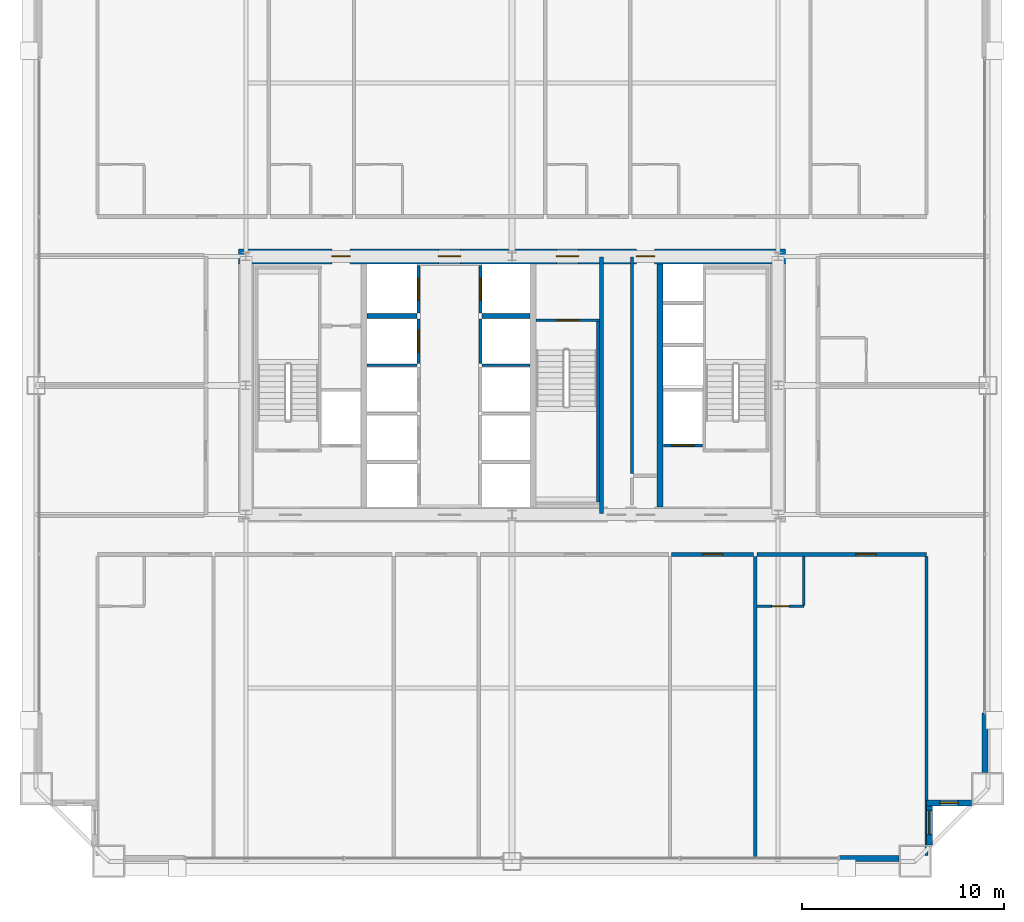
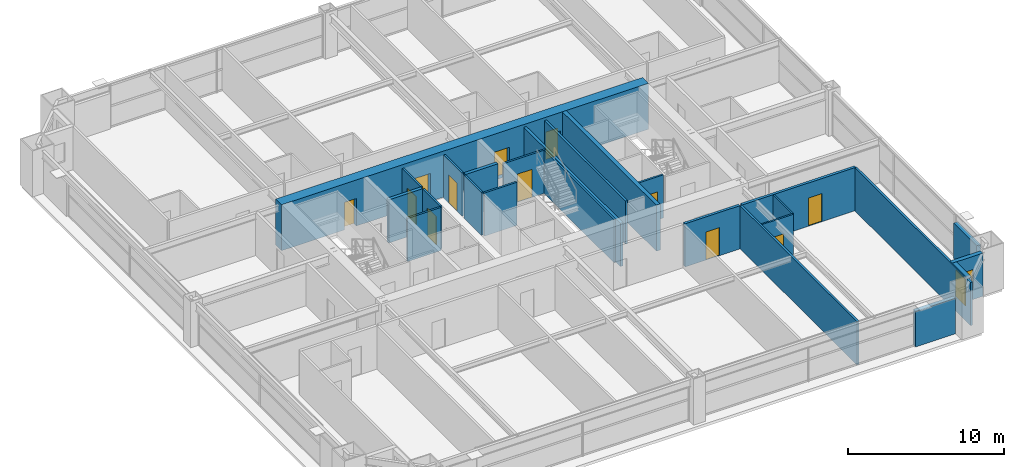
# One storey, part 36 of 39: 25 walls, 12 doors, 2 windows, 14 openings.
"""IFC4 building model written with IfcOpenShell, lengths in metres."""

from ifc_helpers import new_model, si_unit, direction, frame, frame_2d, origin, place, context, subcontext, project, spatial, rectangle, extrude, source, transform, mapped, material, layer, layer_set, type_object, element, fill, save


model = new_model("IFC4")

# Units and contexts
model_context = context("Model", 3, precision=1e-05, world=origin(), true_north=direction((0.0, 1.0)))
body_context = subcontext(model_context, "Body", "Model", "MODEL_VIEW")
ifc_project = project(units=[si_unit("LENGTHUNIT", "METRE"), si_unit("AREAUNIT", "SQUARE_METRE"), si_unit("VOLUMEUNIT", "CUBIC_METRE"), si_unit("PLANEANGLEUNIT", "RADIAN"), si_unit("MASSUNIT", "GRAM", prefix="KILO"), si_unit("THERMODYNAMICTEMPERATUREUNIT", "KELVIN"), si_unit("POWERUNIT", "WATT")], contexts=[model_context])

# Site, building, storey
site_placement = place(None, origin())
site = spatial("IfcSite", under=ifc_project, at=site_placement, CompositionType="ELEMENT")
building_placement = place(site_placement, origin())
building = spatial("IfcBuilding", under=site, at=building_placement, Name="Yuzanri Waterfront Tower", CompositionType="ELEMENT")
storey_placement = place(building_placement, frame((0.0, 0.0, 148.800048828125)))
storey = spatial("IfcBuildingStorey", under=building, at=storey_placement, Name="L39", CompositionType="ELEMENT", Elevation=148.800048828125)

# Wall, opening, door
ifc_material_1 = material(Name="Moisture-Resistant Gypsum Stud Wall", Category="gypsum")
ifc_layer_1 = layer(ifc_material_1, 0.1201171875)
ifc_layer_set_1 = layer_set([ifc_layer_1], Name="Moisture-Resistant Gypsum Stud Wall")
wall_type_1 = type_object("IfcWallType", Name="Bathroom and Kitchen Wet Partition 120", PredefinedType="PARTITIONING", material=ifc_layer_set_1)
wall_1_placement = place(storey_placement, frame((49.14208984375, 14.840087890625, 0.0), z_axis=(0.0, 0.0, 1.0), x_axis=(1.0, 0.0, 0.0)))
wall_1 = element("IfcWall", 1, at=wall_1_placement, inside=storey, type_object=wall_type_1, Name="L39 Partition UW-L39-S6-BS", PredefinedType="PARTITIONING", context=body_context, shape_type="SweptSolid", body=[
    extrude(rectangle(XDim=2.329833984375, YDim=0.1201171875, at=frame_2d((1.1650390625, 0.0))), origin(), (0.0, 0.0, 1.0), 3.3798828125),
])
opening_1_placement = place(wall_1_placement, frame((0.739990234375, 0.0, 0.0)))
opening_1 = element("IfcOpeningElement", 2, at=opening_1_placement, cuts=wall_1, Name="Opening ID-0850", PredefinedType="OPENING", context=body_context, shape_type="SweptSolid", body=[
    extrude(rectangle(XDim=0.85009765625, YDim=2.10009765625, at=frame_2d((0.425048828125, 1.050048828125))), frame((0.0, 0.074951171875, 0.0), z_axis=(0.0, -1.0, 0.0), x_axis=(1.0, 0.0, 0.0)), (0.0, 0.0, 1.0), 0.14990234375),
])
ifc_material_2 = material(Name="Moisture-Resistant Lacquered Timber", Category="wood")
door_type_1 = type_object("IfcDoorType", Name="En-Suite Bathroom and Kitchen Swing Door 850x2100", OperationType="NOTDEFINED", PredefinedType="DOOR", material=ifc_material_2)
shared_shape_1 = source(origin(), body_context, "Body", "SweptSolid", [
    extrude(rectangle(XDim=0.85009765625, YDim=2.10009765625, at=frame_2d((0.425048828125, 1.050048828125))), frame((0.0, 0.02490234375, 0.0), z_axis=(0.0, -1.0, 0.0), x_axis=(1.0, 0.0, 0.0)), (0.0, 0.0, 1.0), 0.050048828125),
])
door_1_placement = place(opening_1_placement, origin())
door_1 = element("IfcDoor", 3, at=door_1_placement, inside=storey, type_object=door_type_1, Name="L39 Guest En-Suite Door", OperationType="SINGLE_SWING_LEFT", OverallHeight=2.10009765625, OverallWidth=0.85009765625, PredefinedType="DOOR", context=body_context, shape_type="MappedRepresentation", body=[
    mapped(shared_shape_1, transform((0.0, 0.0, 0.0), scale=1.0)),
])
fill(opening_1, door_1)

# Wall, opening, window
ifc_material_3 = material(Name="Honed Chongqing Dark Basalt Stone", Category="masonry")
ifc_layer_2 = layer(ifc_material_3, 0.300048828125)
ifc_layer_set_2 = layer_set([ifc_layer_2], Name="Honed Chongqing Dark Basalt Stone")
wall_type_2 = type_object("IfcWallType", Name="Bronze Rainscreen Insulated Spandrel Portal Wall 300", PredefinedType="SOLIDWALL", material=ifc_layer_set_2)
wall_2_placement = place(storey_placement, frame((57.550048828125, 5.10009765625, 0.0), z_axis=(0.0, 0.0, 1.0), x_axis=(1.0, 0.0, 0.0)))
wall_2 = element("IfcWall", 4, at=wall_2_placement, inside=storey, type_object=wall_type_2, Name="L39 Notched Corner Masonry Wall SE-X", PredefinedType="SOLIDWALL", context=body_context, shape_type="SweptSolid", body=[
    extrude(rectangle(XDim=2.25, YDim=0.300048828125, at=frame_2d((1.125, 0.0))), origin(), (0.0, 0.0, 1.0), 3.3798828125),
])
opening_2_placement = place(wall_2_placement, frame((0.675048828125, 0.0, 0.85009765625)))
opening_2 = element("IfcOpeningElement", 5, at=opening_2_placement, cuts=wall_2, Name="Opening WN-05", PredefinedType="OPENING", context=body_context, shape_type="SweptSolid", body=[
    extrude(rectangle(XDim=0.89990234375, YDim=1.5, at=frame_2d((0.449951171875, 0.75))), frame((0.0, 0.1650390625, 0.0), z_axis=(0.0, -1.0, 0.0), x_axis=(1.0, 0.0, 0.0)), (0.0, 0.0, 1.0), 0.329833984375),
])
ifc_material_4 = material(Name="Double-Silver Low-E Insulated Glass", Category="glass")
window_type_1 = type_object("IfcWindowType", Name="Anodized Bronze Service and Stairwell Smoke-Vent Window 900x1500", PartitioningType="SINGLE_PANEL", PredefinedType="WINDOW", material=ifc_material_4)
shared_shape_2 = source(origin(), body_context, "Body", "SweptSolid", [
    extrude(rectangle(XDim=0.89990234375, YDim=1.5, at=frame_2d((0.449951171875, 0.75))), frame((0.0, 0.030029296875, 0.0), z_axis=(0.0, -1.0, 0.0), x_axis=(1.0, 0.0, 0.0)), (0.0, 0.0, 1.0), 0.06005859375),
])
window_1_placement = place(opening_2_placement, origin())
window_1 = element("IfcWindow", 6, at=window_1_placement, inside=storey, type_object=window_type_1, Name="L39 Notched Corner Window SE-X", OverallHeight=1.5, OverallWidth=0.89990234375, PartitioningType="SINGLE_PANEL", PredefinedType="WINDOW", context=body_context, shape_type="MappedRepresentation", body=[
    mapped(shared_shape_2, transform((0.0, 0.0, 0.0), scale=1.0)),
])
fill(opening_2, window_1)

wall_3_placement = place(storey_placement, frame((57.699951171875, 3.0, 0.0), z_axis=(0.0, 0.0, 1.0), x_axis=(0.0, 1.0, 0.0)))
wall_3 = element("IfcWall", 7, at=wall_3_placement, inside=storey, type_object=wall_type_2, Name="L39 Notched Corner Masonry Wall SE-Y", PredefinedType="SOLIDWALL", context=body_context, shape_type="SweptSolid", body=[
    extrude(rectangle(XDim=2.25, YDim=0.300048828125, at=frame_2d((1.125, 0.0))), origin(), (0.0, 0.0, 1.0), 3.3798828125),
])
opening_3_placement = place(wall_3_placement, frame((0.52490234375, 0.0, 0.85009765625)))
opening_3 = element("IfcOpeningElement", 8, at=opening_3_placement, cuts=wall_3, Name="Opening WN-02", PredefinedType="OPENING", context=body_context, shape_type="SweptSolid", body=[
    extrude(rectangle(XDim=1.199951171875, YDim=2.10009765625, at=frame_2d((0.60009765625, 1.050048828125))), frame((0.0, 0.1650390625, 0.0), z_axis=(0.0, -1.0, 0.0), x_axis=(1.0, 0.0, 0.0)), (0.0, 0.0, 1.0), 0.329833984375),
])
ifc_material_5 = material(Name="Double-Silver Low-E Insulated Glass", Category="glass")
window_type_2 = type_object("IfcWindowType", Name="Anodized Bronze Notched Corner Deep-Set Slot Window 1200x2100", PartitioningType="SINGLE_PANEL", PredefinedType="WINDOW", material=ifc_material_5)
shared_shape_3 = source(origin(), body_context, "Body", "SweptSolid", [
    extrude(rectangle(XDim=1.199951171875, YDim=2.10009765625, at=frame_2d((0.60009765625, 1.050048828125))), frame((0.0, 0.030029296875, 0.0), z_axis=(0.0, -1.0, 0.0), x_axis=(1.0, 0.0, 0.0)), (0.0, 0.0, 1.0), 0.06005859375),
])
window_2_placement = place(opening_3_placement, origin())
window_2 = element("IfcWindow", 9, at=window_2_placement, inside=storey, type_object=window_type_2, Name="L39 Notched Corner Window SE-Y", OverallHeight=2.10009765625, OverallWidth=1.199951171875, PartitioningType="SINGLE_PANEL", PredefinedType="WINDOW", context=body_context, shape_type="MappedRepresentation", body=[
    mapped(shared_shape_3, transform((0.0, 0.0, 0.0), scale=1.0)),
])
fill(opening_3, window_2)

# Wall, openings, doors
ifc_material_6 = material(Name="Concrete C55", Category="concrete")
ifc_layer_3 = layer(ifc_material_6, 0.75)
ifc_layer_set_3 = layer_set([ifc_layer_3], Name="Concrete C55")
wall_type_3 = type_object("IfcWallType", Name="Concrete C55 Low-Mid Zone Core Shear Wall 750", PredefinedType="SHEAR", material=ifc_layer_set_3)
wall_4_placement = place(storey_placement, frame((23.425048828125, 32.199951171875, 0.0), z_axis=(0.0, 0.0, 1.0), x_axis=(1.0, 0.0, 0.0)))
wall_4 = element("IfcWall", 10, at=wall_4_placement, inside=storey, type_object=wall_type_3, Name="L39 Core North Shear Wall", PredefinedType="SHEAR", context=body_context, shape_type="SweptSolid", body=[
    extrude(rectangle(XDim=27.14990234375, YDim=0.75, at=frame_2d((13.574951171875, 0.0))), origin(), (0.0, 0.0, 1.0), 3.599853515625),
])
opening_4_placement = place(wall_4_placement, frame((4.64501953125, 0.0, 0.0)))
opening_4 = element("IfcOpeningElement", 11, at=opening_4_placement, cuts=wall_4, Name="Opening FD-0900", PredefinedType="OPENING", context=body_context, shape_type="SweptSolid", body=[
    extrude(rectangle(XDim=0.89990234375, YDim=2.14990234375, at=frame_2d((0.449951171875, 1.074951171875))), frame((0.0, 0.389892578125, 0.0), z_axis=(0.0, -1.0, 0.0), x_axis=(1.0, 0.0, 0.0)), (0.0, 0.0, 1.0), 0.77978515625),
])
opening_5_placement = place(wall_4_placement, frame((9.925048828125, 0.0, 0.0)))
opening_5 = element("IfcOpeningElement", 12, at=opening_5_placement, cuts=wall_4, Name="Opening FD-1100", PredefinedType="OPENING", context=body_context, shape_type="SweptSolid", body=[
    extrude(rectangle(XDim=1.10009765625, YDim=2.199951171875, at=frame_2d((0.550048828125, 1.10009765625))), frame((0.0, 0.389892578125, 0.0), z_axis=(0.0, -1.0, 0.0), x_axis=(1.0, 0.0, 0.0)), (0.0, 0.0, 1.0), 0.77978515625),
])
opening_6_placement = place(wall_4_placement, frame((15.77490234375, 0.0, 0.0)))
opening_6 = element("IfcOpeningElement", 13, at=opening_6_placement, cuts=wall_4, Name="Opening FD-1100", PredefinedType="OPENING", context=body_context, shape_type="SweptSolid", body=[
    extrude(rectangle(XDim=1.10009765625, YDim=2.199951171875, at=frame_2d((0.550048828125, 1.10009765625))), frame((0.0, 0.389892578125, 0.0), z_axis=(0.0, -1.0, 0.0), x_axis=(1.0, 0.0, 0.0)), (0.0, 0.0, 1.0), 0.77978515625),
])
opening_7_placement = place(wall_4_placement, frame((19.7451171875, 0.0, 0.0)))
opening_7 = element("IfcOpeningElement", 14, at=opening_7_placement, cuts=wall_4, Name="Opening FD-0900", PredefinedType="OPENING", context=body_context, shape_type="SweptSolid", body=[
    extrude(rectangle(XDim=0.89990234375, YDim=2.14990234375, at=frame_2d((0.449951171875, 1.074951171875))), frame((0.0, 0.389892578125, 0.0), z_axis=(0.0, -1.0, 0.0), x_axis=(1.0, 0.0, 0.0)), (0.0, 0.0, 1.0), 0.77978515625),
])
ifc_material_7 = material(Name="Painted Galvanized Fire Steel", Category="steel")
door_type_2 = type_object("IfcDoorType", Name="Smoke-Proof Stair and Lobby Fire Door 1100x2200", OperationType="NOTDEFINED", PredefinedType="DOOR", material=ifc_material_7)
shared_shape_4 = source(origin(), body_context, "Body", "SweptSolid", [
    extrude(rectangle(XDim=1.10009765625, YDim=2.199951171875, at=frame_2d((0.550048828125, 1.10009765625))), frame((0.0, 0.02490234375, 0.0), z_axis=(0.0, -1.0, 0.0), x_axis=(1.0, 0.0, 0.0)), (0.0, 0.0, 1.0), 0.050048828125),
])
door_2_placement = place(opening_5_placement, origin())
door_2 = element("IfcDoor", 15, at=door_2_placement, inside=storey, type_object=door_type_2, Name="L39 Central Lift Lobby North Door", OperationType="SINGLE_SWING_RIGHT", OverallHeight=2.199951171875, OverallWidth=1.10009765625, PredefinedType="DOOR", context=body_context, shape_type="MappedRepresentation", body=[
    mapped(shared_shape_4, transform((0.0, 0.0, 0.0), scale=1.0)),
])
fill(opening_5, door_2)
door_3_placement = place(opening_6_placement, origin())
door_3 = element("IfcDoor", 16, at=door_3_placement, inside=storey, type_object=door_type_2, Name="L39 North Stair Lobby Door", OperationType="SINGLE_SWING_LEFT", OverallHeight=2.199951171875, OverallWidth=1.10009765625, PredefinedType="DOOR", context=body_context, shape_type="MappedRepresentation", body=[
    mapped(shared_shape_4, transform((0.0, 0.0, 0.0), scale=1.0)),
])
fill(opening_6, door_3)
ifc_material_8 = material(Name="Painted Galvanized Fire Steel", Category="steel")
door_type_3 = type_object("IfcDoorType", Name="Riser and Service Room Fire Door 900x2150", OperationType="NOTDEFINED", PredefinedType="DOOR", material=ifc_material_8)
shared_shape_5 = source(origin(), body_context, "Body", "SweptSolid", [
    extrude(rectangle(XDim=0.89990234375, YDim=2.14990234375, at=frame_2d((0.449951171875, 1.074951171875))), frame((0.0, 0.02490234375, 0.0), z_axis=(0.0, -1.0, 0.0), x_axis=(1.0, 0.0, 0.0)), (0.0, 0.0, 1.0), 0.050048828125),
])
door_4_placement = place(opening_4_placement, origin())
door_4 = element("IfcDoor", 17, at=door_4_placement, inside=storey, type_object=door_type_3, Name="L39 Telecom Riser Door", OperationType="SINGLE_SWING_LEFT", OverallHeight=2.14990234375, OverallWidth=0.89990234375, PredefinedType="DOOR", context=body_context, shape_type="MappedRepresentation", body=[
    mapped(shared_shape_5, transform((0.0, 0.0, 0.0), scale=1.0)),
])
fill(opening_4, door_4)
door_5_placement = place(opening_7_placement, origin())
door_5 = element("IfcDoor", 18, at=door_5_placement, inside=storey, type_object=door_type_3, Name="L39 Linen Store Room", OperationType="SINGLE_SWING_LEFT", OverallHeight=2.14990234375, OverallWidth=0.89990234375, PredefinedType="DOOR", context=body_context, shape_type="MappedRepresentation", body=[
    mapped(shared_shape_5, transform((0.0, 0.0, 0.0), scale=1.0)),
])
fill(opening_7, door_5)

# Wall, opening, door
ifc_material_9 = material(Name="Concrete C40", Category="concrete")
ifc_layer_4 = layer(ifc_material_9, 0.139892578125)
ifc_layer_set_4 = layer_set([ifc_layer_4], Name="Concrete C40")
wall_type_4 = type_object("IfcWallType", Name="Core Stair Liner and Hoistway Shaft Wall 140", PredefinedType="SOLIDWALL", material=ifc_layer_set_4)
wall_5_placement = place(storey_placement, frame((44.52001953125, 22.830078125, 0.0), z_axis=(0.0, 0.0, 1.0), x_axis=(1.0, 0.0, 0.0)))
wall_5 = element("IfcWall", 19, at=wall_5_placement, inside=storey, type_object=wall_type_4, Name="L39 Lift FL-02 Front Shaft Wall", PredefinedType="SOLIDWALL", context=body_context, shape_type="SweptSolid", body=[
    extrude(rectangle(XDim=1.919921875, YDim=0.139892578125, at=frame_2d((0.9599609375, 0.0))), origin(), (0.0, 0.0, 1.0), 3.3798828125),
])
opening_8_placement = place(wall_5_placement, frame((0.409912109375, 0.0, 0.0)))
opening_8 = element("IfcOpeningElement", 20, at=opening_8_placement, cuts=wall_5, Name="Opening LD-FL-02", PredefinedType="OPENING", context=body_context, shape_type="SweptSolid", body=[
    extrude(rectangle(XDim=1.10009765625, YDim=2.199951171875, at=frame_2d((0.550048828125, 1.10009765625))), frame((0.0, 0.0849609375, 0.0), z_axis=(0.0, -1.0, 0.0), x_axis=(1.0, 0.0, 0.0)), (0.0, 0.0, 1.0), 0.169677734375),
])
ifc_material_10 = material(Name="Brushed Bronze and Stainless Steel Cab", Category="steel")
door_type_4 = type_object("IfcDoorType", Name="Center-Parting Bronze Lift Landing Sliding Door 1100x2200", OperationType="NOTDEFINED", PredefinedType="DOOR", material=ifc_material_10)
shared_shape_6 = source(origin(), body_context, "Body", "SweptSolid", [
    extrude(rectangle(XDim=1.10009765625, YDim=2.199951171875, at=frame_2d((0.550048828125, 1.10009765625))), frame((0.0, 0.02490234375, 0.0), z_axis=(0.0, -1.0, 0.0), x_axis=(1.0, 0.0, 0.0)), (0.0, 0.0, 1.0), 0.050048828125),
])
door_6_placement = place(opening_8_placement, origin())
door_6 = element("IfcDoor", 21, at=door_6_placement, inside=storey, type_object=door_type_4, Name="L39 FL-02 Lift Landing Sliding Door", OperationType="SLIDING_TO_RIGHT", OverallHeight=2.199951171875, OverallWidth=1.10009765625, PredefinedType="DOOR", context=body_context, shape_type="MappedRepresentation", body=[
    mapped(shared_shape_6, transform((0.0, 0.0, 0.0), scale=1.0)),
])
fill(opening_8, door_6)

wall_6_placement = place(storey_placement, frame((32.3701171875, 26.89990234375, 0.0), z_axis=(0.0, 0.0, 1.0), x_axis=(0.0, 1.0, 0.0)))
wall_6 = element("IfcWall", 22, at=wall_6_placement, inside=storey, type_object=wall_type_4, Name="L39 Lift PL-04 Front Shaft Wall", PredefinedType="SOLIDWALL", context=body_context, shape_type="SweptSolid", body=[
    extrude(rectangle(XDim=2.2001953125, YDim=0.139892578125, at=frame_2d((1.10009765625, 0.0))), origin(), (0.0, 0.0, 1.0), 3.3798828125),
])
opening_9_placement = place(wall_6_placement, frame((0.550048828125, 0.0, 0.0)))
opening_9 = element("IfcOpeningElement", 23, at=opening_9_placement, cuts=wall_6, Name="Opening LD-PL-04", PredefinedType="OPENING", context=body_context, shape_type="SweptSolid", body=[
    extrude(rectangle(XDim=1.10009765625, YDim=2.199951171875, at=frame_2d((0.550048828125, 1.10009765625))), frame((0.0, 0.0849609375, 0.0), z_axis=(0.0, -1.0, 0.0), x_axis=(1.0, 0.0, 0.0)), (0.0, 0.0, 1.0), 0.169677734375),
])
door_7_placement = place(opening_9_placement, origin())
door_7 = element("IfcDoor", 24, at=door_7_placement, inside=storey, type_object=door_type_4, Name="L39 PL-04 Lift Landing Sliding Door", OperationType="SLIDING_TO_RIGHT", OverallHeight=2.199951171875, OverallWidth=1.10009765625, PredefinedType="DOOR", context=body_context, shape_type="MappedRepresentation", body=[
    mapped(shared_shape_6, transform((0.0, 0.0, 0.0), scale=1.0)),
])
fill(opening_9, door_7)

wall_7_placement = place(storey_placement, frame((32.3701171875, 29.39990234375, 0.0), z_axis=(0.0, 0.0, 1.0), x_axis=(0.0, 1.0, 0.0)))
wall_7 = element("IfcWall", 25, at=wall_7_placement, inside=storey, type_object=wall_type_4, Name="L39 Lift SL-01 Front Shaft Wall", PredefinedType="SOLIDWALL", context=body_context, shape_type="SweptSolid", body=[
    extrude(rectangle(XDim=2.340087890625, YDim=0.139892578125, at=frame_2d((1.169921875, 0.0))), origin(), (0.0, 0.0, 1.0), 3.3798828125),
])
opening_10_placement = place(wall_7_placement, frame((0.6201171875, 0.0, 0.0)))
opening_10 = element("IfcOpeningElement", 26, at=opening_10_placement, cuts=wall_7, Name="Opening LD-SL-01", PredefinedType="OPENING", context=body_context, shape_type="SweptSolid", body=[
    extrude(rectangle(XDim=1.10009765625, YDim=2.199951171875, at=frame_2d((0.550048828125, 1.10009765625))), frame((0.0, 0.0849609375, 0.0), z_axis=(0.0, -1.0, 0.0), x_axis=(1.0, 0.0, 0.0)), (0.0, 0.0, 1.0), 0.169677734375),
])
door_8_placement = place(opening_10_placement, origin())
door_8 = element("IfcDoor", 27, at=door_8_placement, inside=storey, type_object=door_type_4, Name="L39 SL-01 Lift Landing Sliding Door", OperationType="SLIDING_TO_LEFT", OverallHeight=2.199951171875, OverallWidth=1.10009765625, PredefinedType="DOOR", context=body_context, shape_type="MappedRepresentation", body=[
    mapped(shared_shape_6, transform((0.0, 0.0, 0.0), scale=1.0)),
])
fill(opening_10, door_8)

wall_8_placement = place(storey_placement, frame((35.429931640625, 29.39990234375, 0.0), z_axis=(0.0, 0.0, 1.0), x_axis=(0.0, 1.0, 0.0)))
wall_8 = element("IfcWall", 28, at=wall_8_placement, inside=storey, type_object=wall_type_4, Name="L39 Lift SL-02 Front Shaft Wall", PredefinedType="SOLIDWALL", context=body_context, shape_type="SweptSolid", body=[
    extrude(rectangle(XDim=2.340087890625, YDim=0.139892578125, at=frame_2d((1.169921875, 0.0))), origin(), (0.0, 0.0, 1.0), 3.3798828125),
])
opening_11_placement = place(wall_8_placement, frame((0.6201171875, 0.0, 0.0)))
opening_11 = element("IfcOpeningElement", 29, at=opening_11_placement, cuts=wall_8, Name="Opening LD-SL-02", PredefinedType="OPENING", context=body_context, shape_type="SweptSolid", body=[
    extrude(rectangle(XDim=1.10009765625, YDim=2.199951171875, at=frame_2d((0.550048828125, 1.10009765625))), frame((0.0, 0.0849609375, 0.0), z_axis=(0.0, -1.0, 0.0), x_axis=(1.0, 0.0, 0.0)), (0.0, 0.0, 1.0), 0.169677734375),
])
door_9_placement = place(opening_11_placement, origin())
door_9 = element("IfcDoor", 30, at=door_9_placement, inside=storey, type_object=door_type_4, Name="L39 SL-02 Lift Landing Sliding Door", OperationType="SLIDING_TO_RIGHT", OverallHeight=2.199951171875, OverallWidth=1.10009765625, PredefinedType="DOOR", context=body_context, shape_type="MappedRepresentation", body=[
    mapped(shared_shape_6, transform((0.0, 0.0, 0.0), scale=1.0)),
])
fill(opening_11, door_9)

wall_9_placement = place(storey_placement, frame((38.199951171875, 29.030029296875, 0.0), z_axis=(0.0, 0.0, 1.0), x_axis=(1.0, 0.0, 0.0)))
wall_9 = element("IfcWall", 31, at=wall_9_placement, inside=storey, type_object=wall_type_4, Name="L39 Shaft Wall STW-L39-ST-03-N", PredefinedType="SOLIDWALL", context=body_context, shape_type="SweptSolid", body=[
    extrude(rectangle(XDim=3.14013671875, YDim=0.139892578125, at=frame_2d((1.570068359375, 0.0))), origin(), (0.0, 0.0, 1.0), 3.3798828125),
])
opening_12_placement = place(wall_9_placement, frame((1.02001953125, 0.0, 0.0)))
opening_12 = element("IfcOpeningElement", 32, at=opening_12_placement, cuts=wall_9, Name="Opening FD-1100", PredefinedType="OPENING", context=body_context, shape_type="SweptSolid", body=[
    extrude(rectangle(XDim=1.10009765625, YDim=2.199951171875, at=frame_2d((0.550048828125, 1.10009765625))), frame((0.0, 0.0849609375, 0.0), z_axis=(0.0, -1.0, 0.0), x_axis=(1.0, 0.0, 0.0)), (0.0, 0.0, 1.0), 0.169677734375),
])
door_10_placement = place(opening_12_placement, origin())
door_10 = element("IfcDoor", 33, at=door_10_placement, inside=storey, type_object=door_type_2, Name="L39 Stair ST-03 Fire Door", OperationType="SINGLE_SWING_LEFT", OverallHeight=2.199951171875, OverallWidth=1.10009765625, PredefinedType="DOOR", context=body_context, shape_type="MappedRepresentation", body=[
    mapped(shared_shape_4, transform((0.0, 0.0, 0.0), scale=1.0)),
])
fill(opening_12, door_10)

ifc_material_11 = material(Name="Autoclaved Aerated Concrete Blockwork", Category="masonry")
ifc_layer_5 = layer(ifc_material_11, 0.199951171875)
ifc_layer_set_5 = layer_set([ifc_layer_5], Name="Autoclaved Aerated Concrete Blockwork")
wall_type_5 = type_object("IfcWallType", Name="Corridor and Unit Party Fire Wall 200", PredefinedType="PARTITIONING", material=ifc_layer_set_5)
wall_10_placement = place(storey_placement, frame((44.919921875, 17.419921875, 0.0), z_axis=(0.0, 0.0, 1.0), x_axis=(1.0, 0.0, 0.0)))
wall_10 = element("IfcWall", 34, at=wall_10_placement, inside=storey, type_object=wall_type_5, Name="L39 Partition UW-L39-S5-CN", PredefinedType="PARTITIONING", context=body_context, shape_type="SweptSolid", body=[
    extrude(rectangle(XDim=4.06201171875, YDim=0.199951171875, at=frame_2d((2.031005859375, 0.0))), origin(), (0.0, 0.0, 1.0), 3.3798828125),
])
opening_13_placement = place(wall_10_placement, frame((1.531005859375, 0.0, 0.0)))
opening_13 = element("IfcOpeningElement", 35, at=opening_13_placement, cuts=wall_10, Name="Opening FD-1000", PredefinedType="OPENING", context=body_context, shape_type="SweptSolid", body=[
    extrude(rectangle(XDim=1.0, YDim=2.199951171875, at=frame_2d((0.5, 1.10009765625))), frame((0.0, 0.11474609375, 0.0), z_axis=(0.0, -1.0, 0.0), x_axis=(1.0, 0.0, 0.0)), (0.0, 0.0, 1.0), 0.229736328125),
])
ifc_material_12 = material(Name="Engineered Oak Fire-Rated Timber", Category="wood")
door_type_5 = type_object("IfcDoorType", Name="Guestroom and Apartment Entrance Fire Door 1000x2200", OperationType="NOTDEFINED", PredefinedType="DOOR", material=ifc_material_12)
shared_shape_7 = source(origin(), body_context, "Body", "SweptSolid", [
    extrude(rectangle(XDim=1.0, YDim=2.199951171875, at=frame_2d((0.5, 1.10009765625))), frame((0.0, 0.02490234375, 0.0), z_axis=(0.0, -1.0, 0.0), x_axis=(1.0, 0.0, 0.0)), (0.0, 0.0, 1.0), 0.050048828125),
])
door_11_placement = place(opening_13_placement, origin())
door_11 = element("IfcDoor", 36, at=door_11_placement, inside=storey, type_object=door_type_5, Name="L39 Private Office 4 Entrance Door", OperationType="SINGLE_SWING_LEFT", OverallHeight=2.199951171875, OverallWidth=1.0, PredefinedType="DOOR", context=body_context, shape_type="MappedRepresentation", body=[
    mapped(shared_shape_7, transform((0.0, 0.0, 0.0), scale=1.0)),
])
fill(opening_13, door_11)

wall_11_placement = place(storey_placement, frame((49.14208984375, 17.419921875, 0.0), z_axis=(0.0, 0.0, 1.0), x_axis=(1.0, 0.0, 0.0)))
wall_11 = element("IfcWall", 37, at=wall_11_placement, inside=storey, type_object=wall_type_5, Name="L39 Partition UW-L39-S6-CN", PredefinedType="PARTITIONING", context=body_context, shape_type="SweptSolid", body=[
    extrude(rectangle(XDim=8.41796875, YDim=0.199951171875, at=frame_2d((4.208984375, 0.0))), origin(), (0.0, 0.0, 1.0), 3.3798828125),
])
opening_14_placement = place(wall_11_placement, frame((4.9140625, 0.0, 0.0)))
opening_14 = element("IfcOpeningElement", 38, at=opening_14_placement, cuts=wall_11, Name="Opening FD-1000", PredefinedType="OPENING", context=body_context, shape_type="SweptSolid", body=[
    extrude(rectangle(XDim=1.0, YDim=2.199951171875, at=frame_2d((0.5, 1.10009765625))), frame((0.0, 0.11474609375, 0.0), z_axis=(0.0, -1.0, 0.0), x_axis=(1.0, 0.0, 0.0)), (0.0, 0.0, 1.0), 0.229736328125),
])
door_12_placement = place(opening_14_placement, origin())
door_12 = element("IfcDoor", 39, at=door_12_placement, inside=storey, type_object=door_type_5, Name="L39 Ambassador Suite Entrance Door", OperationType="SINGLE_SWING_RIGHT", OverallHeight=2.199951171875, OverallWidth=1.0, PredefinedType="DOOR", context=body_context, shape_type="MappedRepresentation", body=[
    mapped(shared_shape_7, transform((0.0, 0.0, 0.0), scale=1.0)),
])
fill(opening_14, door_12)

# Walls
ifc_material_13 = material(Name="Concrete C50", Category="concrete")
ifc_layer_6 = layer(ifc_material_13, 0.300048828125)
ifc_layer_set_6 = layer_set([ifc_layer_6], Name="Concrete C50")
wall_type_6 = type_object("IfcWallType", Name="Concrete C50 Internal Core Shaft Structural Wall 300", PredefinedType="SOLIDWALL", material=ifc_layer_set_6)
shared_shape_8 = source(origin(), body_context, "Body", "SweptSolid", [
    extrude(rectangle(XDim=12.050048828125, YDim=0.300048828125, at=frame_2d((6.02490234375, 0.0))), origin(), (0.0, 0.0, 1.0), 3.599853515625),
])
wall_12_placement = place(storey_placement, frame((44.35009765625, 19.77490234375, 0.0), z_axis=(0.0, 0.0, 1.0), x_axis=(0.0, 1.0, 0.0)))
element("IfcWall", 40, at=wall_12_placement, inside=storey, type_object=wall_type_6, Name="L39 Core Internal Structural Web Wall 3", PredefinedType="SOLIDWALL", context=body_context, shape_type="MappedRepresentation", body=[
    mapped(shared_shape_8, transform((0.0, 0.0, 0.0), scale=1.0)),
])
shared_shape_9 = source(origin(), body_context, "Body", "SweptSolid", [
    extrude(rectangle(XDim=2.949951171875, YDim=0.300048828125, at=frame_2d((1.47509765625, 0.0))), origin(), (0.0, 0.0, 1.0), 2.77490234375),
])
for number, where, z_axis, x_axis, name in (
    (41, (53.25, 2.35009765625, 0.0), (0.0, 0.0, 1.0), (1.0, 0.0, 0.0), "L39 S Right Braced Masonry Shoulder"),
    (42, (60.449951171875, 6.60009765625, 0.0), (0.0, 0.0, 1.0), (0.0, 1.0, 0.0), "L39 E Left Braced Masonry Shoulder"),
):
    element("IfcWall", number, at=place(storey_placement, frame(where, z_axis=z_axis, x_axis=x_axis)), inside=storey, type_object=wall_type_2, Name=name, PredefinedType="SOLIDWALL", context=body_context, shape_type="MappedRepresentation", body=[
        mapped(shared_shape_9, transform((0.0, 0.0, 0.0), scale=1.0)),
    ])
shared_shape_10 = source(origin(), body_context, "Body", "SweptSolid", [
    extrude(rectangle(XDim=2.5, YDim=0.139892578125, at=frame_2d((1.25, 0.0))), origin(), (0.0, 0.0, 1.0), 3.3798828125),
])
wall_13_placement = place(storey_placement, frame((29.800048828125, 26.800048828125, 0.0), z_axis=(0.0, 0.0, 1.0), x_axis=(1.0, 0.0, 0.0)))
element("IfcWall", 43, at=wall_13_placement, inside=storey, type_object=wall_type_4, Name="L39 Lift PL-03 Divider Wall", PredefinedType="SOLIDWALL", context=body_context, shape_type="MappedRepresentation", body=[
    mapped(shared_shape_10, transform((0.0, 0.0, 0.0), scale=1.0)),
])
ifc_material_14 = material(Name="Concrete C40", Category="concrete")
ifc_layer_7 = layer(ifc_material_14, 0.25)
ifc_layer_set_7 = layer_set([ifc_layer_7], Name="Concrete C40")
wall_type_7 = type_object("IfcWallType", Name="Smoke-Proof Stair and Lift Shaft Wall 250", PredefinedType="SOLIDWALL", material=ifc_layer_set_7)
shared_shape_11 = source(origin(), body_context, "Body", "SweptSolid", [
    extrude(rectangle(XDim=2.5, YDim=0.25, at=frame_2d((1.25, 0.0))), origin(), (0.0, 0.0, 1.0), 3.3798828125),
])
wall_14_placement = place(storey_placement, frame((29.800048828125, 29.25, 0.0), z_axis=(0.0, 0.0, 1.0), x_axis=(1.0, 0.0, 0.0)))
element("IfcWall", 44, at=wall_14_placement, inside=storey, type_object=wall_type_7, Name="L39 Lift SL-01 South Shaft Wall", PredefinedType="SOLIDWALL", context=body_context, shape_type="MappedRepresentation", body=[
    mapped(shared_shape_11, transform((0.0, 0.0, 0.0), scale=1.0)),
])
shared_shape_12 = source(origin(), body_context, "Body", "SweptSolid", [
    extrude(rectangle(XDim=2.39990234375, YDim=0.139892578125, at=frame_2d((1.199951171875, 0.0))), origin(), (0.0, 0.0, 1.0), 3.3798828125),
])
wall_15_placement = place(storey_placement, frame((35.5, 26.800048828125, 0.0), z_axis=(0.0, 0.0, 1.0), x_axis=(1.0, 0.0, 0.0)))
element("IfcWall", 45, at=wall_15_placement, inside=storey, type_object=wall_type_4, Name="L39 Lift PL-07 Divider Wall", PredefinedType="SOLIDWALL", context=body_context, shape_type="MappedRepresentation", body=[
    mapped(shared_shape_12, transform((0.0, 0.0, 0.0), scale=1.0)),
])
shared_shape_13 = source(origin(), body_context, "Body", "SweptSolid", [
    extrude(rectangle(XDim=2.2001953125, YDim=0.139892578125, at=frame_2d((1.10009765625, 0.0))), origin(), (0.0, 0.0, 1.0), 3.3798828125),
])
wall_16_placement = place(storey_placement, frame((35.429931640625, 26.89990234375, 0.0), z_axis=(0.0, 0.0, 1.0), x_axis=(0.0, 1.0, 0.0)))
element("IfcWall", 46, at=wall_16_placement, inside=storey, type_object=wall_type_4, Name="L39 Lift PL-08 Front Shaft Wall", PredefinedType="SOLIDWALL", context=body_context, shape_type="MappedRepresentation", body=[
    mapped(shared_shape_13, transform((0.0, 0.0, 0.0), scale=1.0)),
])
shared_shape_14 = source(origin(), body_context, "Body", "SweptSolid", [
    extrude(rectangle(XDim=2.39990234375, YDim=0.25, at=frame_2d((1.199951171875, 0.0))), origin(), (0.0, 0.0, 1.0), 3.3798828125),
])
wall_17_placement = place(storey_placement, frame((35.5, 29.25, 0.0), z_axis=(0.0, 0.0, 1.0), x_axis=(1.0, 0.0, 0.0)))
element("IfcWall", 47, at=wall_17_placement, inside=storey, type_object=wall_type_7, Name="L39 Lift SL-02 South Shaft Wall", PredefinedType="SOLIDWALL", context=body_context, shape_type="MappedRepresentation", body=[
    mapped(shared_shape_14, transform((0.0, 0.0, 0.0), scale=1.0)),
])
shared_shape_15 = source(origin(), body_context, "Body", "SweptSolid", [
    extrude(rectangle(XDim=8.93994140625, YDim=0.139892578125, at=frame_2d((4.469970703125, 0.0))), origin(), (0.0, 0.0, 1.0), 3.3798828125),
])
wall_18_placement = place(storey_placement, frame((41.27001953125, 20.02001953125, 0.0), z_axis=(0.0, 0.0, 1.0), x_axis=(0.0, 1.0, 0.0)))
element("IfcWall", 48, at=wall_18_placement, inside=storey, type_object=wall_type_4, Name="L39 Stair ST-03 East Shaft Wall", PredefinedType="SOLIDWALL", context=body_context, shape_type="MappedRepresentation", body=[
    mapped(shared_shape_15, transform((0.0, 0.0, 0.0), scale=1.0)),
])
shared_shape_16 = source(origin(), body_context, "Body", "SweptSolid", [
    extrude(rectangle(XDim=12.719970703125, YDim=0.199951171875, at=frame_2d((6.35986328125, 0.0))), origin(), (0.0, 0.0, 1.0), 3.3798828125),
])
wall_19_placement = place(storey_placement, frame((41.449951171875, 19.43994140625, 0.0), z_axis=(0.0, 0.0, 1.0), x_axis=(0.0, 1.0, 0.0)))
element("IfcWall", 49, at=wall_19_placement, inside=storey, type_object=wall_type_5, Name="L39 Core BOH West Wall 1", PredefinedType="PARTITIONING", context=body_context, shape_type="MappedRepresentation", body=[
    mapped(shared_shape_16, transform((0.0, 0.0, 0.0), scale=1.0)),
])
shared_shape_17 = source(origin(), body_context, "Body", "SweptSolid", [
    extrude(rectangle(XDim=2.420166015625, YDim=0.1201171875, at=frame_2d((1.2099609375, 0.0))), origin(), (0.0, 0.0, 1.0), 3.3798828125),
])
wall_20_placement = place(storey_placement, frame((51.471923828125, 14.89990234375, 0.0), z_axis=(0.0, 0.0, 1.0), x_axis=(0.0, 1.0, 0.0)))
element("IfcWall", 50, at=wall_20_placement, inside=storey, type_object=wall_type_1, Name="L39-S6 En-Suite Side Wall", PredefinedType="PARTITIONING", context=body_context, shape_type="MappedRepresentation", body=[
    mapped(shared_shape_17, transform((0.0, 0.0, 0.0), scale=1.0)),
])
ifc_material_15 = material(Name="Gypsum Fireboard Acoustic Stud Wall", Category="gypsum")
ifc_layer_8 = layer(ifc_material_15, 0.159912109375)
ifc_layer_set_8 = layer_set([ifc_layer_8], Name="Gypsum Fireboard Acoustic Stud Wall")
wall_type_8 = type_object("IfcWallType", Name="Acoustic Suite Demising Partition 160", PredefinedType="PARTITIONING", material=ifc_layer_set_8)
shared_shape_18 = source(origin(), body_context, "Body", "SweptSolid", [
    extrude(rectangle(XDim=10.719970703125, YDim=0.159912109375, at=frame_2d((5.35986328125, 0.0))), origin(), (0.0, 0.0, 1.0), 3.3798828125),
])
wall_21_placement = place(storey_placement, frame((42.949951171875, 21.43994140625, 0.0), z_axis=(0.0, 0.0, 1.0), x_axis=(0.0, 1.0, 0.0)))
element("IfcWall", 51, at=wall_21_placement, inside=storey, type_object=wall_type_8, Name="L39 Core BOH Mid Wall 2", PredefinedType="PARTITIONING", context=body_context, shape_type="MappedRepresentation", body=[
    mapped(shared_shape_18, transform((0.0, 0.0, 0.0), scale=1.0)),
])
shared_shape_19 = source(origin(), body_context, "Body", "SweptSolid", [
    extrude(rectangle(XDim=14.969970703125, YDim=0.159912109375, at=frame_2d((7.48486328125, 0.0))), origin(), (0.0, 0.0, 1.0), 3.3798828125),
])
wall_22_placement = place(storey_placement, frame((49.06201171875, 2.35009765625, 0.0), z_axis=(0.0, 0.0, 1.0), x_axis=(0.0, 1.0, 0.0)))
element("IfcWall", 52, at=wall_22_placement, inside=storey, type_object=wall_type_8, Name="L39-S5 Party Wall", PredefinedType="PARTITIONING", context=body_context, shape_type="MappedRepresentation", body=[
    mapped(shared_shape_19, transform((0.0, 0.0, 0.0), scale=1.0)),
])
shared_shape_20 = source(origin(), body_context, "Body", "SweptSolid", [
    extrude(rectangle(XDim=14.820068359375, YDim=0.159912109375, at=frame_2d((7.41015625, 0.0))), origin(), (0.0, 0.0, 1.0), 3.3798828125),
])
wall_23_placement = place(storey_placement, frame((57.550048828125, 2.5, 0.0), z_axis=(0.0, 0.0, 1.0), x_axis=(0.0, 1.0, 0.0)))
element("IfcWall", 53, at=wall_23_placement, inside=storey, type_object=wall_type_8, Name="L39 South Band East End Wall", PredefinedType="PARTITIONING", context=body_context, shape_type="MappedRepresentation", body=[
    mapped(shared_shape_20, transform((0.0, 0.0, 0.0), scale=1.0)),
])

save(model, "model.ifc")
